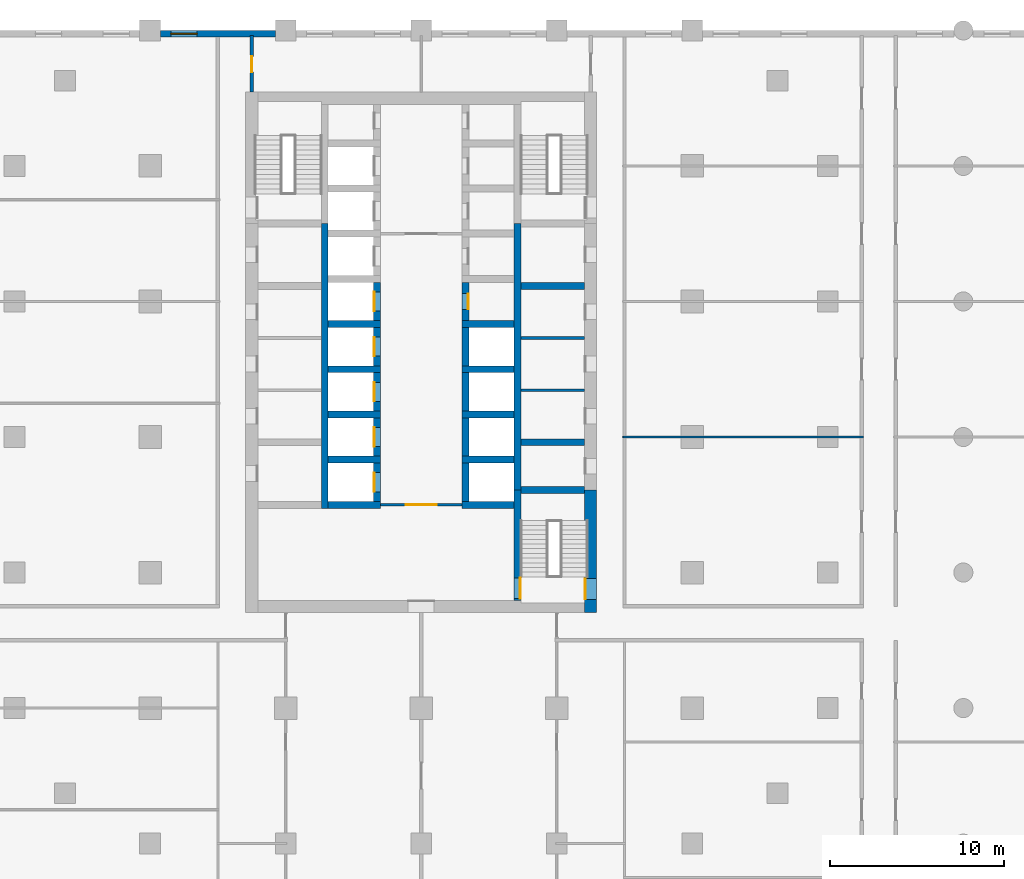
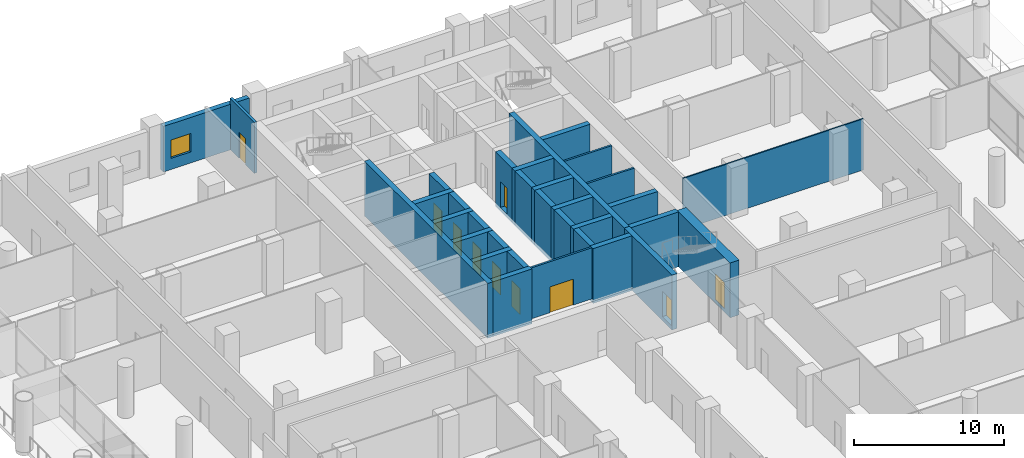
# One storey, part 12 of 23: 33 walls, 10 doors, 1 window, 11 openings.
"""IFC4 building model written with IfcOpenShell, lengths in metres."""

from ifc_helpers import new_model, si_unit, direction, frame, frame_2d, origin, place, context, subcontext, project, spatial, rectangle, extrude, material, layer, layer_set, type_object, element, fill, save


model = new_model("IFC4")

# Units and contexts
model_context = context("Model", 3, precision=1e-05, world=origin(), true_north=direction((0.0, 1.0)))
body_context = subcontext(model_context, "Body", "Model", "MODEL_VIEW")
ifc_project = project(units=[si_unit("LENGTHUNIT", "METRE"), si_unit("AREAUNIT", "SQUARE_METRE"), si_unit("VOLUMEUNIT", "CUBIC_METRE"), si_unit("PLANEANGLEUNIT", "RADIAN"), si_unit("MASSUNIT", "GRAM", prefix="KILO")], contexts=[model_context])

# Site, building, storey
site_placement = place(None, origin())
site = spatial("IfcSite", under=ifc_project, at=site_placement, CompositionType="ELEMENT")
building_placement = place(site_placement, origin())
building = spatial("IfcBuilding", under=site, at=building_placement, Name="Ludao Terraces", CompositionType="ELEMENT")
storey_placement = place(building_placement, frame((0.0, 0.0, 10.5)))
storey = spatial("IfcBuildingStorey", under=building, at=storey_placement, Name="L02", CompositionType="ELEMENT", Elevation=10.5)

# Wall, opening, door
ifc_material_1 = material(Name="Concrete C70", Category="concrete")
ifc_layer_1 = layer(ifc_material_1, 0.699951171875)
ifc_layer_set_1 = layer_set([ifc_layer_1], Name="Core wall 700 C70")
wall_type_1 = type_object("IfcWallType", Name="Core wall 700 C70", PredefinedType="SOLIDWALL", material=ifc_layer_set_1)
wall_1_placement = place(storey_placement, frame((94.75, 54.89990234375, -0.300048828125), z_axis=(0.0, 0.0, 1.0), x_axis=(0.0, 1.0, 0.0)))
wall_1 = element("IfcWall", 1, at=wall_1_placement, inside=storey, type_object=wall_type_1, Name="Core wall L02 outer-E-S3", PredefinedType="SOLIDWALL", context=body_context, shape_type="SweptSolid", body=[
    extrude(rectangle(XDim=7.050048828125, YDim=0.699951171875, at=frame_2d((3.52490234375, 0.0))), origin(), (0.0, 0.0, 1.0), 4.449951171875),
])
opening_1_placement = place(wall_1_placement, frame((0.75, 0.0, 0.300048828125)))
opening_1 = element("IfcOpeningElement", 2, at=opening_1_placement, cuts=wall_1, Name="Opening L02-029", PredefinedType="OPENING", context=body_context, shape_type="SweptSolid", body=[
    extrude(rectangle(XDim=1.199951171875, YDim=2.10009765625, at=frame_2d((0.60009765625, 1.050048828125))), frame((0.0, 0.35986328125, 0.0), z_axis=(0.0, -1.0, 0.0), x_axis=(1.0, 0.0, 0.0)), (0.0, 0.0, 1.0), 0.719970703125),
])
ifc_material_2 = material(Name="Steel Q235", Category="steel")
door_type_1 = type_object("IfcDoorType", Name="INT Stair door 1200", OperationType="DOUBLE_DOOR_SINGLE_SWING", PredefinedType="DOOR", material=ifc_material_2)
door_1_placement = place(opening_1_placement, origin())
door_1 = element("IfcDoor", 3, at=door_1_placement, inside=storey, type_object=door_type_1, Name="DOOR 029", OperationType="DOUBLE_DOOR_SINGLE_SWING", OverallHeight=2.10009765625, OverallWidth=1.199951171875, PredefinedType="DOOR", context=body_context, shape_type="SweptSolid", body=[
    extrude(rectangle(XDim=1.199951171875, YDim=2.10009765625, at=frame_2d((0.60009765625, 1.050048828125))), frame((0.0, 0.3349609375, 0.0), z_axis=(0.0, -1.0, 0.0), x_axis=(1.0, 0.0, 0.0)), (0.0, 0.0, 1.0), 0.050048828125),
])
fill(opening_1, door_1)

# Wall, opening, window
ifc_material_3 = material(Name="Granite cladding", Category="masonry")
ifc_layer_2 = layer(ifc_material_3, 0.06005859375, Category="stone")
ifc_material_4 = material(Name="Mineral wool")
ifc_layer_3 = layer(ifc_material_4, 0.06005859375)
ifc_material_5 = material(Name="Concrete C40", Category="concrete")
ifc_layer_4 = layer(ifc_material_5, 0.260009765625, Category="concrete")
ifc_layer_set_2 = layer_set([ifc_layer_2, ifc_layer_3, ifc_layer_4], Name="ENV Stone-clad wall 380")
wall_type_2 = type_object("IfcWallType", Name="ENV Stone-clad wall 380", PredefinedType="SOLIDWALL", material=ifc_layer_set_2)
wall_2_placement = place(storey_placement, frame((70.0, 88.2099609375, 0.0), z_axis=(0.0, 0.0, 1.0), x_axis=(1.0, 0.0, 0.0)))
wall_2 = element("IfcWall", 4, at=wall_2_placement, inside=storey, type_object=wall_type_2, Name="EW-L02-N3", PredefinedType="SOLIDWALL", context=body_context, shape_type="SweptSolid", body=[
    extrude(rectangle(XDim=6.60009765625, YDim=0.3798828125, at=frame_2d((3.300048828125, 0.0))), origin(), (0.0, 0.0, 1.0), 3.699951171875),
])
opening_2_placement = place(wall_2_placement, frame((0.60009765625, 0.0, 0.89990234375)))
opening_2 = element("IfcOpeningElement", 5, at=opening_2_placement, cuts=wall_2, Name="Opening W5", PredefinedType="OPENING", context=body_context, shape_type="SweptSolid", body=[
    extrude(rectangle(XDim=1.5, YDim=1.5, at=frame_2d((0.75, 0.75))), frame((0.0, 0.199951171875, 0.0), z_axis=(0.0, -1.0, 0.0), x_axis=(1.0, 0.0, 0.0)), (0.0, 0.0, 1.0), 0.39990234375),
])
ifc_material_6 = material(Name="Clear glass in aluminium frame", Category="aluminium")
ifc_layer_5 = layer(ifc_material_6, 0.06005859375)
ifc_layer_set_3 = layer_set([ifc_layer_5], Name="ENV Window W5 1500x1500")
window_type = type_object("IfcWindowType", Name="ENV Window W5 1500x1500", PartitioningType="SINGLE_PANEL", PredefinedType="WINDOW", material=ifc_layer_set_3)
window_placement = place(opening_2_placement, origin())
window = element("IfcWindow", 6, at=window_placement, inside=storey, type_object=window_type, Name="W-L02-N3-1", OverallHeight=1.5, OverallWidth=1.5, PartitioningType="SINGLE_PANEL", PredefinedType="WINDOW", context=body_context, shape_type="SweptSolid", body=[
    extrude(rectangle(XDim=1.5, YDim=1.5, at=frame_2d((0.75, 0.75))), frame((0.0, 0.030029296875, 0.0), z_axis=(0.0, -1.0, 0.0), x_axis=(1.0, 0.0, 0.0)), (0.0, 0.0, 1.0), 0.06005859375),
])
fill(opening_2, window)

# Wall, opening, door
ifc_material_7 = material(Name="Fire-rated gypsum plasterboard", Category="gypsum")
ifc_layer_6 = layer(ifc_material_7, 0.012451171875, Category="gypsum")
ifc_layer_7 = layer(ifc_material_4, 0.10009765625, Name="insulation")
ifc_layer_8 = layer(ifc_material_2, 0.02490234375, Name="stud")
ifc_layer_9 = layer(ifc_material_7, 0.012451171875, Category="gypsum")
ifc_layer_set_4 = layer_set([ifc_layer_6, ifc_layer_7, ifc_layer_8, ifc_layer_9], Name="INT Core partition 150")
wall_type_3 = type_object("IfcWallType", Name="INT Core partition 150", PredefinedType="PARTITIONING", material=ifc_layer_set_4)
wall_3_placement = place(storey_placement, frame((82.650146484375, 61.10009765625, 0.0), z_axis=(0.0, 0.0, 1.0), x_axis=(1.0, 0.0, 0.0)))
wall_3 = element("IfcWall", 7, at=wall_3_placement, inside=storey, type_object=wall_type_3, Name="PW-L02-PW025", PredefinedType="PARTITIONING", context=body_context, shape_type="SweptSolid", body=[
    extrude(rectangle(XDim=4.699951171875, YDim=0.14990234375, at=frame_2d((2.35009765625, 0.0))), origin(), (0.0, 0.0, 1.0), 4.14990234375),
])
opening_3_placement = place(wall_3_placement, frame((1.449951171875, 0.0, 0.0)))
opening_3 = element("IfcOpeningElement", 8, at=opening_3_placement, cuts=wall_3, Name="Opening L02-034", PredefinedType="OPENING", context=body_context, shape_type="SweptSolid", body=[
    extrude(rectangle(XDim=1.800048828125, YDim=2.10009765625, at=frame_2d((0.89990234375, 1.050048828125))), frame((0.0, 0.0849609375, 0.0), z_axis=(0.0, -1.0, 0.0), x_axis=(1.0, 0.0, 0.0)), (0.0, 0.0, 1.0), 0.169921875),
])
door_type_2 = type_object("IfcDoorType", Name="INT Fire lobby door 1800", OperationType="DOUBLE_DOOR_SINGLE_SWING", PredefinedType="DOOR", material=ifc_material_2)
door_2_placement = place(opening_3_placement, origin())
door_2 = element("IfcDoor", 9, at=door_2_placement, inside=storey, type_object=door_type_2, Name="DOOR 034", OperationType="DOUBLE_DOOR_SINGLE_SWING", OverallHeight=2.10009765625, OverallWidth=1.800048828125, PredefinedType="DOOR", context=body_context, shape_type="SweptSolid", body=[
    extrude(rectangle(XDim=1.800048828125, YDim=2.10009765625, at=frame_2d((0.89990234375, 1.050048828125))), frame((0.0, 0.02490234375, 0.0), z_axis=(0.0, -1.0, 0.0), x_axis=(1.0, 0.0, 0.0)), (0.0, 0.0, 1.0), 0.050048828125),
])
fill(opening_3, door_2)

# Walls
for number, where, z_axis, x_axis, name in (
    (10, (90.75, 67.699951171875, 0.0), (0.0, 0.0, 1.0), (1.0, 0.0, 0.0), "PW-L02-PW033"),
    (11, (90.75, 70.699951171875, 0.0), (0.0, 0.0, 1.0), (1.0, 0.0, 0.0), "PW-L02-PW035"),
):
    element("IfcWall", number, at=place(storey_placement, frame(where, z_axis=z_axis, x_axis=x_axis)), inside=storey, type_object=wall_type_3, Name=name, PredefinedType="PARTITIONING", context=body_context, shape_type="SweptSolid", body=[
        extrude(rectangle(XDim=3.650146484375, YDim=0.14990234375, at=frame_2d((1.8251953125, 0.0))), origin(), (0.0, 0.0, 1.0), 4.14990234375),
    ])

# Wall, opening, door
ifc_material_8 = material(Name="Autoclaved aerated concrete block B06 A3.5", Category="concrete")
ifc_layer_10 = layer(ifc_material_8, 0.199951171875)
ifc_layer_set_5 = layer_set([ifc_layer_10], Name="INT Entrance wall 200")
wall_type_4 = type_object("IfcWallType", Name="INT Entrance wall 200", PredefinedType="PARTITIONING", material=ifc_layer_set_5)
wall_4_placement = place(storey_placement, frame((75.25, 84.85009765625, 0.0), z_axis=(0.0, 0.0, 1.0), x_axis=(0.0, 1.0, 0.0)))
wall_4 = element("IfcWall", 12, at=wall_4_placement, inside=storey, type_object=wall_type_4, Name="PW-L02-PW056", PredefinedType="PARTITIONING", context=body_context, shape_type="SweptSolid", body=[
    extrude(rectangle(XDim=3.25, YDim=0.199951171875, at=frame_2d((1.625, 0.0))), origin(), (0.0, 0.0, 1.0), 4.14990234375),
])
opening_4_placement = place(wall_4_placement, frame((1.14990234375, 0.0, 0.0)))
opening_4 = element("IfcOpeningElement", 13, at=opening_4_placement, cuts=wall_4, Name="Opening L02-074", PredefinedType="OPENING", context=body_context, shape_type="SweptSolid", body=[
    extrude(rectangle(XDim=0.89990234375, YDim=2.10009765625, at=frame_2d((0.449951171875, 1.050048828125))), frame((0.0, 0.10986328125, 0.0), z_axis=(0.0, -1.0, 0.0), x_axis=(1.0, 0.0, 0.0)), (0.0, 0.0, 1.0), 0.219970703125),
])
ifc_material_9 = material(Name="Timber door leaf", Category="wood")
door_type_3 = type_object("IfcDoorType", Name="INT Room door 900", OperationType="SINGLE_SWING_LEFT", PredefinedType="DOOR", material=ifc_material_9)
door_3_placement = place(opening_4_placement, origin())
door_3 = element("IfcDoor", 14, at=door_3_placement, inside=storey, type_object=door_type_3, Name="DOOR 074", OperationType="SINGLE_SWING_RIGHT", OverallHeight=2.10009765625, OverallWidth=0.89990234375, PredefinedType="DOOR", context=body_context, shape_type="SweptSolid", body=[
    extrude(rectangle(XDim=0.89990234375, YDim=2.10009765625, at=frame_2d((0.449951171875, 1.050048828125))), frame((0.0, 0.02490234375, 0.0), z_axis=(0.0, -1.0, 0.0), x_axis=(1.0, 0.0, 0.0)), (0.0, 0.0, 1.0), 0.050048828125),
])
fill(opening_4, door_3)

# Walls
ifc_material_10 = material(Name="Gypsum plasterboard", Category="gypsum")
ifc_layer_11 = layer(ifc_material_10, 0.012451171875, Category="gypsum")
ifc_layer_12 = layer(ifc_material_4, 0.06005859375, Name="insulation")
ifc_layer_13 = layer(ifc_material_2, 0.014892578125, Name="stud")
ifc_layer_14 = layer(ifc_material_10, 0.012451171875, Category="gypsum")
ifc_layer_set_6 = layer_set([ifc_layer_11, ifc_layer_12, ifc_layer_13, ifc_layer_14], Name="INT Partition 100")
wall_type_5 = type_object("IfcWallType", Name="INT Partition 100", PredefinedType="PARTITIONING", material=ifc_layer_set_6)
wall_5_placement = place(storey_placement, frame((96.60009765625, 65.0, 0.0), z_axis=(0.0, 0.0, 1.0), x_axis=(1.0, 0.0, 0.0)))
element("IfcWall", 15, at=wall_5_placement, inside=storey, type_object=wall_type_5, Name="PW-L02-PW026", PredefinedType="PARTITIONING", context=body_context, shape_type="SweptSolid", body=[
    extrude(rectangle(XDim=13.85009765625, YDim=0.10009765625, at=frame_2d((6.925048828125, 0.0))), origin(), (0.0, 0.0, 1.0), 4.14990234375),
])
ifc_material_11 = material(Name="Concrete C60", Category="concrete")
ifc_layer_15 = layer(ifc_material_11, 0.39990234375)
ifc_layer_set_7 = layer_set([ifc_layer_15], Name="Shaft wall 400 C60")
wall_type_6 = type_object("IfcWallType", Name="Shaft wall 400 C60", PredefinedType="SOLIDWALL", material=ifc_layer_set_7)
wall_6_placement = place(storey_placement, frame((79.449951171875, 60.89990234375, -0.300048828125), z_axis=(0.0, 0.0, 1.0), x_axis=(0.0, 1.0, 0.0)))
element("IfcWall", 16, at=wall_6_placement, inside=storey, type_object=wall_type_6, Name="Core wall L02 back-W", PredefinedType="SOLIDWALL", context=body_context, shape_type="SweptSolid", body=[
    extrude(rectangle(XDim=16.400146484375, YDim=0.39990234375, at=frame_2d((8.2001953125, 0.0))), origin(), (0.0, 0.0, 1.0), 4.449951171875),
])

# Wall, opening, door
wall_7_placement = place(storey_placement, frame((90.550048828125, 55.60009765625, -0.300048828125), z_axis=(0.0, 0.0, 1.0), x_axis=(0.0, 1.0, 0.0)))
wall_7 = element("IfcWall", 17, at=wall_7_placement, inside=storey, type_object=wall_type_6, Name="Core wall L02 back-E-S3", PredefinedType="SOLIDWALL", context=body_context, shape_type="SweptSolid", body=[
    extrude(rectangle(XDim=6.349853515625, YDim=0.39990234375, at=frame_2d((3.1748046875, 0.0))), origin(), (0.0, 0.0, 1.0), 4.449951171875),
])
opening_5_placement = place(wall_7_placement, frame((0.10009765625, 0.0, 0.300048828125)))
opening_5 = element("IfcOpeningElement", 18, at=opening_5_placement, cuts=wall_7, Name="Opening L02-028", PredefinedType="OPENING", context=body_context, shape_type="SweptSolid", body=[
    extrude(rectangle(XDim=1.199951171875, YDim=2.10009765625, at=frame_2d((0.60009765625, 1.050048828125))), frame((0.0, 0.2099609375, 0.0), z_axis=(0.0, -1.0, 0.0), x_axis=(1.0, 0.0, 0.0)), (0.0, 0.0, 1.0), 0.419921875),
])
door_4_placement = place(opening_5_placement, origin())
door_4 = element("IfcDoor", 19, at=door_4_placement, inside=storey, type_object=door_type_1, Name="DOOR 028", OperationType="DOUBLE_DOOR_SINGLE_SWING", OverallHeight=2.10009765625, OverallWidth=1.199951171875, PredefinedType="DOOR", context=body_context, shape_type="SweptSolid", body=[
    extrude(rectangle(XDim=1.199951171875, YDim=2.10009765625, at=frame_2d((0.60009765625, 1.050048828125))), frame((0.0, -0.134765625, 0.0), z_axis=(0.0, -1.0, 0.0), x_axis=(1.0, 0.0, 0.0)), (0.0, 0.0, 1.0), 0.050048828125),
])
fill(opening_5, door_4)

# Walls
wall_8_placement = place(storey_placement, frame((90.550048828125, 61.949951171875, -0.300048828125), z_axis=(0.0, 0.0, 1.0), x_axis=(0.0, 1.0, 0.0)))
element("IfcWall", 20, at=wall_8_placement, inside=storey, type_object=wall_type_6, Name="Core wall L02 back-E", PredefinedType="SOLIDWALL", context=body_context, shape_type="SweptSolid", body=[
    extrude(rectangle(XDim=15.35009765625, YDim=0.39990234375, at=frame_2d((7.675048828125, 0.0))), origin(), (0.0, 0.0, 1.0), 4.449951171875),
])
wall_9_placement = place(storey_placement, frame((79.64990234375, 61.10009765625, -0.300048828125), z_axis=(0.0, 0.0, 1.0), x_axis=(1.0, 0.0, 0.0)))
element("IfcWall", 21, at=wall_9_placement, inside=storey, type_object=wall_type_6, Name="Core wall L02 div-W1", PredefinedType="SOLIDWALL", context=body_context, shape_type="SweptSolid", body=[
    extrude(rectangle(XDim=3.0, YDim=0.39990234375, at=frame_2d((1.5, 0.0))), origin(), (0.0, 0.0, 1.0), 4.449951171875),
])

# Wall, opening, door
wall_10_placement = place(storey_placement, frame((82.449951171875, 61.300048828125, -0.300048828125), z_axis=(0.0, 0.0, 1.0), x_axis=(0.0, 1.0, 0.0)))
wall_10 = element("IfcWall", 22, at=wall_10_placement, inside=storey, type_object=wall_type_6, Name="Core wall L02 front-W1", PredefinedType="SOLIDWALL", context=body_context, shape_type="SweptSolid", body=[
    extrude(rectangle(XDim=2.199951171875, YDim=0.39990234375, at=frame_2d((1.10009765625, 0.0))), origin(), (0.0, 0.0, 1.0), 4.449951171875),
])
opening_6_placement = place(wall_10_placement, frame((0.550048828125, 0.0, 0.300048828125)))
opening_6 = element("IfcOpeningElement", 23, at=opening_6_placement, cuts=wall_10, Name="Opening LD-LA1", PredefinedType="OPENING", context=body_context, shape_type="SweptSolid", body=[
    extrude(rectangle(XDim=1.10009765625, YDim=2.10009765625, at=frame_2d((0.550048828125, 1.050048828125))), frame((0.0, 0.2099609375, 0.0), z_axis=(0.0, -1.0, 0.0), x_axis=(1.0, 0.0, 0.0)), (0.0, 0.0, 1.0), 0.419921875),
])
ifc_material_12 = material(Name="Stainless steel 304", Category="steel")
door_type_4 = type_object("IfcDoorType", Name="INT Lift landing door 1100", OperationType="SLIDING_TO_LEFT", PredefinedType="DOOR", material=ifc_material_12)
door_5_placement = place(opening_6_placement, origin())
door_5 = element("IfcDoor", 24, at=door_5_placement, inside=storey, type_object=door_type_4, Name="LANDING DOOR LA1 L02", OperationType="SLIDING_TO_RIGHT", OverallHeight=2.10009765625, OverallWidth=1.10009765625, PredefinedType="DOOR", context=body_context, shape_type="SweptSolid", body=[
    extrude(rectangle(XDim=1.10009765625, YDim=2.10009765625, at=frame_2d((0.550048828125, 1.050048828125))), frame((0.0, 0.18505859375, 0.0), z_axis=(0.0, -1.0, 0.0), x_axis=(1.0, 0.0, 0.0)), (0.0, 0.0, 1.0), 0.050048828125),
])
fill(opening_6, door_5)

# Wall
wall_11_placement = place(storey_placement, frame((79.64990234375, 63.699951171875, -0.300048828125), z_axis=(0.0, 0.0, 1.0), x_axis=(1.0, 0.0, 0.0)))
element("IfcWall", 25, at=wall_11_placement, inside=storey, type_object=wall_type_6, Name="Core wall L02 div-W2", PredefinedType="SOLIDWALL", context=body_context, shape_type="SweptSolid", body=[
    extrude(rectangle(XDim=3.0, YDim=0.39990234375, at=frame_2d((1.5, 0.0))), origin(), (0.0, 0.0, 1.0), 4.449951171875),
])

# Wall, opening, door
wall_12_placement = place(storey_placement, frame((82.449951171875, 63.89990234375, -0.300048828125), z_axis=(0.0, 0.0, 1.0), x_axis=(0.0, 1.0, 0.0)))
wall_12 = element("IfcWall", 26, at=wall_12_placement, inside=storey, type_object=wall_type_6, Name="Core wall L02 front-W2", PredefinedType="SOLIDWALL", context=body_context, shape_type="SweptSolid", body=[
    extrude(rectangle(XDim=2.2001953125, YDim=0.39990234375, at=frame_2d((1.10009765625, 0.0))), origin(), (0.0, 0.0, 1.0), 4.449951171875),
])
opening_7_placement = place(wall_12_placement, frame((0.550048828125, 0.0, 0.300048828125)))
opening_7 = element("IfcOpeningElement", 27, at=opening_7_placement, cuts=wall_12, Name="Opening LD-LA2", PredefinedType="OPENING", context=body_context, shape_type="SweptSolid", body=[
    extrude(rectangle(XDim=1.10009765625, YDim=2.10009765625, at=frame_2d((0.550048828125, 1.050048828125))), frame((0.0, 0.2099609375, 0.0), z_axis=(0.0, -1.0, 0.0), x_axis=(1.0, 0.0, 0.0)), (0.0, 0.0, 1.0), 0.419921875),
])
door_6_placement = place(opening_7_placement, origin())
door_6 = element("IfcDoor", 28, at=door_6_placement, inside=storey, type_object=door_type_4, Name="LANDING DOOR LA2 L02", OperationType="SLIDING_TO_RIGHT", OverallHeight=2.10009765625, OverallWidth=1.10009765625, PredefinedType="DOOR", context=body_context, shape_type="SweptSolid", body=[
    extrude(rectangle(XDim=1.10009765625, YDim=2.10009765625, at=frame_2d((0.550048828125, 1.050048828125))), frame((0.0, 0.18505859375, 0.0), z_axis=(0.0, -1.0, 0.0), x_axis=(1.0, 0.0, 0.0)), (0.0, 0.0, 1.0), 0.050048828125),
])
fill(opening_7, door_6)

# Wall
wall_13_placement = place(storey_placement, frame((79.64990234375, 66.300048828125, -0.300048828125), z_axis=(0.0, 0.0, 1.0), x_axis=(1.0, 0.0, 0.0)))
element("IfcWall", 29, at=wall_13_placement, inside=storey, type_object=wall_type_6, Name="Core wall L02 div-W3", PredefinedType="SOLIDWALL", context=body_context, shape_type="SweptSolid", body=[
    extrude(rectangle(XDim=3.0, YDim=0.39990234375, at=frame_2d((1.5, 0.0))), origin(), (0.0, 0.0, 1.0), 4.449951171875),
])

# Wall, opening, door
wall_14_placement = place(storey_placement, frame((82.449951171875, 66.5, -0.300048828125), z_axis=(0.0, 0.0, 1.0), x_axis=(0.0, 1.0, 0.0)))
wall_14 = element("IfcWall", 30, at=wall_14_placement, inside=storey, type_object=wall_type_6, Name="Core wall L02 front-W3", PredefinedType="SOLIDWALL", context=body_context, shape_type="SweptSolid", body=[
    extrude(rectangle(XDim=2.199951171875, YDim=0.39990234375, at=frame_2d((1.10009765625, 0.0))), origin(), (0.0, 0.0, 1.0), 4.449951171875),
])
opening_8_placement = place(wall_14_placement, frame((0.550048828125, 0.0, 0.300048828125)))
opening_8 = element("IfcOpeningElement", 31, at=opening_8_placement, cuts=wall_14, Name="Opening LD-LA3", PredefinedType="OPENING", context=body_context, shape_type="SweptSolid", body=[
    extrude(rectangle(XDim=1.10009765625, YDim=2.10009765625, at=frame_2d((0.550048828125, 1.050048828125))), frame((0.0, 0.2099609375, 0.0), z_axis=(0.0, -1.0, 0.0), x_axis=(1.0, 0.0, 0.0)), (0.0, 0.0, 1.0), 0.419921875),
])
door_7_placement = place(opening_8_placement, origin())
door_7 = element("IfcDoor", 32, at=door_7_placement, inside=storey, type_object=door_type_4, Name="LANDING DOOR LA3 L02", OperationType="SLIDING_TO_RIGHT", OverallHeight=2.10009765625, OverallWidth=1.10009765625, PredefinedType="DOOR", context=body_context, shape_type="SweptSolid", body=[
    extrude(rectangle(XDim=1.10009765625, YDim=2.10009765625, at=frame_2d((0.550048828125, 1.050048828125))), frame((0.0, 0.18505859375, 0.0), z_axis=(0.0, -1.0, 0.0), x_axis=(1.0, 0.0, 0.0)), (0.0, 0.0, 1.0), 0.050048828125),
])
fill(opening_8, door_7)

# Wall
wall_15_placement = place(storey_placement, frame((79.64990234375, 68.89990234375, -0.300048828125), z_axis=(0.0, 0.0, 1.0), x_axis=(1.0, 0.0, 0.0)))
element("IfcWall", 33, at=wall_15_placement, inside=storey, type_object=wall_type_6, Name="Core wall L02 div-W4", PredefinedType="SOLIDWALL", context=body_context, shape_type="SweptSolid", body=[
    extrude(rectangle(XDim=3.0, YDim=0.39990234375, at=frame_2d((1.5, 0.0))), origin(), (0.0, 0.0, 1.0), 4.449951171875),
])

# Wall, opening, door
wall_16_placement = place(storey_placement, frame((82.449951171875, 69.10009765625, -0.300048828125), z_axis=(0.0, 0.0, 1.0), x_axis=(0.0, 1.0, 0.0)))
wall_16 = element("IfcWall", 34, at=wall_16_placement, inside=storey, type_object=wall_type_6, Name="Core wall L02 front-W4", PredefinedType="SOLIDWALL", context=body_context, shape_type="SweptSolid", body=[
    extrude(rectangle(XDim=2.199951171875, YDim=0.39990234375, at=frame_2d((1.10009765625, 0.0))), origin(), (0.0, 0.0, 1.0), 4.449951171875),
])
opening_9_placement = place(wall_16_placement, frame((0.550048828125, 0.0, 0.300048828125)))
opening_9 = element("IfcOpeningElement", 35, at=opening_9_placement, cuts=wall_16, Name="Opening LD-LA4", PredefinedType="OPENING", context=body_context, shape_type="SweptSolid", body=[
    extrude(rectangle(XDim=1.10009765625, YDim=2.10009765625, at=frame_2d((0.550048828125, 1.050048828125))), frame((0.0, 0.2099609375, 0.0), z_axis=(0.0, -1.0, 0.0), x_axis=(1.0, 0.0, 0.0)), (0.0, 0.0, 1.0), 0.419921875),
])
door_8_placement = place(opening_9_placement, origin())
door_8 = element("IfcDoor", 36, at=door_8_placement, inside=storey, type_object=door_type_4, Name="LANDING DOOR LA4 L02", OperationType="SLIDING_TO_LEFT", OverallHeight=2.10009765625, OverallWidth=1.10009765625, PredefinedType="DOOR", context=body_context, shape_type="SweptSolid", body=[
    extrude(rectangle(XDim=1.10009765625, YDim=2.10009765625, at=frame_2d((0.550048828125, 1.050048828125))), frame((0.0, 0.18505859375, 0.0), z_axis=(0.0, -1.0, 0.0), x_axis=(1.0, 0.0, 0.0)), (0.0, 0.0, 1.0), 0.050048828125),
])
fill(opening_9, door_8)

# Wall
wall_17_placement = place(storey_placement, frame((79.64990234375, 71.5, -0.300048828125), z_axis=(0.0, 0.0, 1.0), x_axis=(1.0, 0.0, 0.0)))
element("IfcWall", 37, at=wall_17_placement, inside=storey, type_object=wall_type_6, Name="Core wall L02 div-W5", PredefinedType="SOLIDWALL", context=body_context, shape_type="SweptSolid", body=[
    extrude(rectangle(XDim=3.0, YDim=0.39990234375, at=frame_2d((1.5, 0.0))), origin(), (0.0, 0.0, 1.0), 4.449951171875),
])

# Wall, opening, door
wall_18_placement = place(storey_placement, frame((82.449951171875, 71.699951171875, -0.300048828125), z_axis=(0.0, 0.0, 1.0), x_axis=(0.0, 1.0, 0.0)))
wall_18 = element("IfcWall", 38, at=wall_18_placement, inside=storey, type_object=wall_type_6, Name="Core wall L02 front-W5", PredefinedType="SOLIDWALL", context=body_context, shape_type="SweptSolid", body=[
    extrude(rectangle(XDim=2.199951171875, YDim=0.39990234375, at=frame_2d((1.10009765625, 0.0))), origin(), (0.0, 0.0, 1.0), 4.449951171875),
])
opening_10_placement = place(wall_18_placement, frame((0.550048828125, 0.0, 0.300048828125)))
opening_10 = element("IfcOpeningElement", 39, at=opening_10_placement, cuts=wall_18, Name="Opening LD-LA5", PredefinedType="OPENING", context=body_context, shape_type="SweptSolid", body=[
    extrude(rectangle(XDim=1.10009765625, YDim=2.10009765625, at=frame_2d((0.550048828125, 1.050048828125))), frame((0.0, 0.2099609375, 0.0), z_axis=(0.0, -1.0, 0.0), x_axis=(1.0, 0.0, 0.0)), (0.0, 0.0, 1.0), 0.419921875),
])
door_9_placement = place(opening_10_placement, origin())
door_9 = element("IfcDoor", 40, at=door_9_placement, inside=storey, type_object=door_type_4, Name="LANDING DOOR LA5 L02", OperationType="SLIDING_TO_LEFT", OverallHeight=2.10009765625, OverallWidth=1.10009765625, PredefinedType="DOOR", context=body_context, shape_type="SweptSolid", body=[
    extrude(rectangle(XDim=1.10009765625, YDim=2.10009765625, at=frame_2d((0.550048828125, 1.050048828125))), frame((0.0, 0.18505859375, 0.0), z_axis=(0.0, -1.0, 0.0), x_axis=(1.0, 0.0, 0.0)), (0.0, 0.0, 1.0), 0.050048828125),
])
fill(opening_10, door_9)

# Walls
wall_19_placement = place(storey_placement, frame((87.35009765625, 61.10009765625, -0.300048828125), z_axis=(0.0, 0.0, 1.0), x_axis=(1.0, 0.0, 0.0)))
element("IfcWall", 41, at=wall_19_placement, inside=storey, type_object=wall_type_6, Name="Core wall L02 div-E1", PredefinedType="SOLIDWALL", context=body_context, shape_type="SweptSolid", body=[
    extrude(rectangle(XDim=3.0, YDim=0.39990234375, at=frame_2d((1.5, 0.0))), origin(), (0.0, 0.0, 1.0), 4.449951171875),
])
wall_20_placement = place(storey_placement, frame((87.550048828125, 61.300048828125, -0.300048828125), z_axis=(0.0, 0.0, 1.0), x_axis=(0.0, 1.0, 0.0)))
element("IfcWall", 42, at=wall_20_placement, inside=storey, type_object=wall_type_6, Name="Core wall L02 front-E1", PredefinedType="SOLIDWALL", context=body_context, shape_type="SweptSolid", body=[
    extrude(rectangle(XDim=2.199951171875, YDim=0.39990234375, at=frame_2d((1.10009765625, 0.0))), origin(), (0.0, 0.0, 1.0), 4.449951171875),
])
wall_21_placement = place(storey_placement, frame((87.35009765625, 63.699951171875, -0.300048828125), z_axis=(0.0, 0.0, 1.0), x_axis=(1.0, 0.0, 0.0)))
element("IfcWall", 43, at=wall_21_placement, inside=storey, type_object=wall_type_6, Name="Core wall L02 div-E2", PredefinedType="SOLIDWALL", context=body_context, shape_type="SweptSolid", body=[
    extrude(rectangle(XDim=3.0, YDim=0.39990234375, at=frame_2d((1.5, 0.0))), origin(), (0.0, 0.0, 1.0), 4.449951171875),
])
wall_22_placement = place(storey_placement, frame((87.550048828125, 63.89990234375, -0.300048828125), z_axis=(0.0, 0.0, 1.0), x_axis=(0.0, 1.0, 0.0)))
element("IfcWall", 44, at=wall_22_placement, inside=storey, type_object=wall_type_6, Name="Core wall L02 front-E2", PredefinedType="SOLIDWALL", context=body_context, shape_type="SweptSolid", body=[
    extrude(rectangle(XDim=2.2001953125, YDim=0.39990234375, at=frame_2d((1.10009765625, 0.0))), origin(), (0.0, 0.0, 1.0), 4.449951171875),
])
wall_23_placement = place(storey_placement, frame((87.35009765625, 66.300048828125, -0.300048828125), z_axis=(0.0, 0.0, 1.0), x_axis=(1.0, 0.0, 0.0)))
element("IfcWall", 45, at=wall_23_placement, inside=storey, type_object=wall_type_6, Name="Core wall L02 div-E3", PredefinedType="SOLIDWALL", context=body_context, shape_type="SweptSolid", body=[
    extrude(rectangle(XDim=3.0, YDim=0.39990234375, at=frame_2d((1.5, 0.0))), origin(), (0.0, 0.0, 1.0), 4.449951171875),
])
wall_24_placement = place(storey_placement, frame((87.550048828125, 66.5, -0.300048828125), z_axis=(0.0, 0.0, 1.0), x_axis=(0.0, 1.0, 0.0)))
element("IfcWall", 46, at=wall_24_placement, inside=storey, type_object=wall_type_6, Name="Core wall L02 front-E3", PredefinedType="SOLIDWALL", context=body_context, shape_type="SweptSolid", body=[
    extrude(rectangle(XDim=2.199951171875, YDim=0.39990234375, at=frame_2d((1.10009765625, 0.0))), origin(), (0.0, 0.0, 1.0), 4.449951171875),
])
wall_25_placement = place(storey_placement, frame((87.35009765625, 68.89990234375, -0.300048828125), z_axis=(0.0, 0.0, 1.0), x_axis=(1.0, 0.0, 0.0)))
element("IfcWall", 47, at=wall_25_placement, inside=storey, type_object=wall_type_6, Name="Core wall L02 div-E4", PredefinedType="SOLIDWALL", context=body_context, shape_type="SweptSolid", body=[
    extrude(rectangle(XDim=3.0, YDim=0.39990234375, at=frame_2d((1.5, 0.0))), origin(), (0.0, 0.0, 1.0), 4.449951171875),
])
wall_26_placement = place(storey_placement, frame((87.550048828125, 69.10009765625, -0.300048828125), z_axis=(0.0, 0.0, 1.0), x_axis=(0.0, 1.0, 0.0)))
element("IfcWall", 48, at=wall_26_placement, inside=storey, type_object=wall_type_6, Name="Core wall L02 front-E4", PredefinedType="SOLIDWALL", context=body_context, shape_type="SweptSolid", body=[
    extrude(rectangle(XDim=2.199951171875, YDim=0.39990234375, at=frame_2d((1.10009765625, 0.0))), origin(), (0.0, 0.0, 1.0), 4.449951171875),
])
wall_27_placement = place(storey_placement, frame((87.35009765625, 71.5, -0.300048828125), z_axis=(0.0, 0.0, 1.0), x_axis=(1.0, 0.0, 0.0)))
element("IfcWall", 49, at=wall_27_placement, inside=storey, type_object=wall_type_6, Name="Core wall L02 div-E5", PredefinedType="SOLIDWALL", context=body_context, shape_type="SweptSolid", body=[
    extrude(rectangle(XDim=3.0, YDim=0.39990234375, at=frame_2d((1.5, 0.0))), origin(), (0.0, 0.0, 1.0), 4.449951171875),
])

# Wall, opening, door
wall_28_placement = place(storey_placement, frame((87.550048828125, 71.699951171875, -0.300048828125), z_axis=(0.0, 0.0, 1.0), x_axis=(0.0, 1.0, 0.0)))
wall_28 = element("IfcWall", 50, at=wall_28_placement, inside=storey, type_object=wall_type_6, Name="Core wall L02 front-E5", PredefinedType="SOLIDWALL", context=body_context, shape_type="SweptSolid", body=[
    extrude(rectangle(XDim=2.199951171875, YDim=0.39990234375, at=frame_2d((1.10009765625, 0.0))), origin(), (0.0, 0.0, 1.0), 4.449951171875),
])
opening_11_placement = place(wall_28_placement, frame((0.64990234375, 0.0, 0.300048828125)))
opening_11 = element("IfcOpeningElement", 51, at=opening_11_placement, cuts=wall_28, Name="Opening L02-052", PredefinedType="OPENING", context=body_context, shape_type="SweptSolid", body=[
    extrude(rectangle(XDim=0.89990234375, YDim=2.10009765625, at=frame_2d((0.449951171875, 1.050048828125))), frame((0.0, 0.2099609375, 0.0), z_axis=(0.0, -1.0, 0.0), x_axis=(1.0, 0.0, 0.0)), (0.0, 0.0, 1.0), 0.419921875),
])
door_10_placement = place(opening_11_placement, origin())
door_10 = element("IfcDoor", 52, at=door_10_placement, inside=storey, type_object=door_type_3, Name="DOOR 052", OperationType="SINGLE_SWING_RIGHT", OverallHeight=2.10009765625, OverallWidth=0.89990234375, PredefinedType="DOOR", context=body_context, shape_type="SweptSolid", body=[
    extrude(rectangle(XDim=0.89990234375, YDim=2.10009765625, at=frame_2d((0.449951171875, 1.050048828125))), frame((0.0, -0.134765625, 0.0), z_axis=(0.0, -1.0, 0.0), x_axis=(1.0, 0.0, 0.0)), (0.0, 0.0, 1.0), 0.050048828125),
])
fill(opening_11, door_10)

# Walls
for number, where, z_axis, x_axis, name in (
    (53, (90.75, 61.949951171875, -0.300048828125), (0.0, 0.0, 1.0), (1.0, 0.0, 0.0), "Core wall L02 hall-E"),
    (54, (90.75, 64.699951171875, -0.300048828125), (0.0, 0.0, 1.0), (1.0, 0.0, 0.0), "Core wall L02 riser-a-E"),
    (55, (90.75, 73.699951171875, -0.300048828125), (0.0, 0.0, 1.0), (1.0, 0.0, 0.0), "Core wall L02 riser-b-E"),
):
    element("IfcWall", number, at=place(storey_placement, frame(where, z_axis=z_axis, x_axis=x_axis)), inside=storey, type_object=wall_type_6, Name=name, PredefinedType="SOLIDWALL", context=body_context, shape_type="SweptSolid", body=[
        extrude(rectangle(XDim=3.64990234375, YDim=0.39990234375, at=frame_2d((1.824951171875, 0.0))), origin(), (0.0, 0.0, 1.0), 4.449951171875),
    ])

save(model, "model.ifc")
